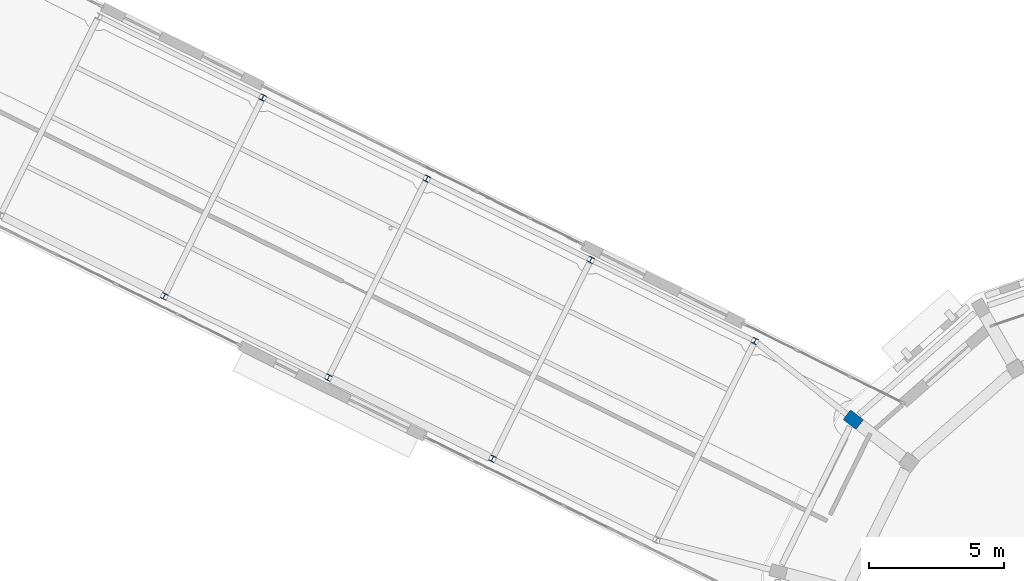
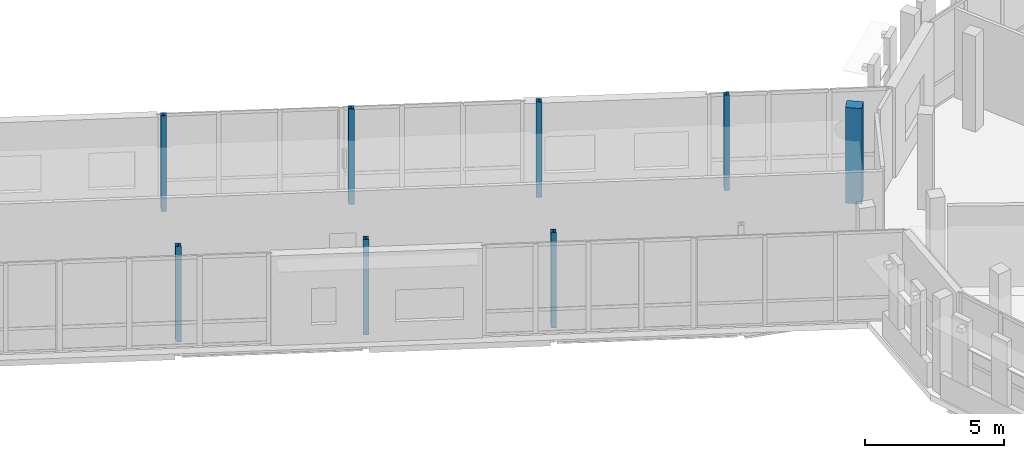
# One storey, part 24 of 125: 8 columns.
"""IFC4 building model written with IfcOpenShell, lengths in metres."""

from ifc_helpers import new_model, si_unit, direction, frame, origin, origin_2d, place, context, subcontext, project, spatial, rectangle, i_section, extrude, material, material_profile, profile_set, type_object, element, save


model = new_model("IFC4")

# Units and contexts
model_context = context("Model", 3, precision=1e-05, world=origin(), true_north=direction((0.0, 1.0)))
body_context = subcontext(model_context, "Body", "Model", "MODEL_VIEW")
ifc_project = project(units=[si_unit("LENGTHUNIT", "METRE"), si_unit("AREAUNIT", "SQUARE_METRE"), si_unit("VOLUMEUNIT", "CUBIC_METRE"), si_unit("PLANEANGLEUNIT", "RADIAN"), si_unit("MASSUNIT", "GRAM", prefix="KILO")], contexts=[model_context])

# Site, building, storey
site_placement = place(None, origin())
site = spatial("IfcSite", under=ifc_project, at=site_placement, CompositionType="ELEMENT")
building_placement = place(site_placement, origin())
building = spatial("IfcBuilding", under=site, at=building_placement, Name="Wrenclough Park School", CompositionType="ELEMENT")
storey_placement = place(building_placement, frame((0.0, 0.0, 4.199951171875)))
storey = spatial("IfcBuildingStorey", under=building, at=storey_placement, Name="L01", CompositionType="ELEMENT", Elevation=4.199951171875)

# Columns
ifc_material_1 = material(Name="Concrete C40/50", Category="concrete")
ifc_material_profile_1 = material_profile(ifc_material_1, rectangle(XDim=0.449951171875, YDim=0.60009765625, at=origin_2d()), Name="RC COL 600x450")
ifc_profile_set_1 = profile_set([ifc_material_profile_1], Name="Concrete C40/50")
column_type_1 = type_object("IfcColumnType", Name="STR-COL-RC600x450", PredefinedType="PILASTER", material=ifc_profile_set_1)
column_placement = place(storey_placement, frame((161.7666015625, 103.2705078125, 0.0), z_axis=(0.0, 0.0, 1.0), x_axis=(-0.608761429009, -0.793353340291, 0.0)))
element("IfcColumn", 1, at=column_placement, inside=storey, type_object=column_type_1, Name="D5 L01 column D5-OUT-07", PredefinedType="PILASTER", context=body_context, shape_type="SweptSolid", body=[
    extrude(rectangle(XDim=0.449951171875, YDim=0.60009765625, at=origin_2d()), origin(), (0.0, 0.0, 1.0), 4.199951171875),
])
ifc_material_2 = material(Name="Structural steel S355", Category="steel")
ifc_material_profile_2 = material_profile(ifc_material_2, i_section(OverallWidth=0.205810546875, OverallDepth=0.209716796875, WebThickness=0.009521484375, FlangeThickness=0.01416015625, FilletRadius=0.01025390625, at=origin_2d()), Name="UKC 203x203x60")
ifc_profile_set_2 = profile_set([ifc_material_profile_2], Name="Structural steel S355")
column_type_2 = type_object("IfcColumnType", Name="STR-COL-UKC203B", PredefinedType="COLUMN", material=ifc_profile_set_2)
for number, where, z_axis, x_axis, name in (
    (2, (139.943359375, 115.1748046875, 0.0), (0.0, 0.0, 1.0), (0.896254315973, -0.443540529265, 0.0), "W45 L01 column W45-C2-L02"),
    (3, (136.306640625, 107.8251953125, 0.0), (0.0, 0.0, 1.0), (0.896254315973, -0.443540529265, 0.0), "W45 L01 column W45-C2-R02"),
    (4, (146.005859375, 112.1748046875, 0.0), (0.0, 0.0, 1.0), (0.896254315973, -0.443540529265, 0.0), "W45 L01 column W45-C2-L03"),
    (5, (142.369140625, 104.8251953125, 0.0), (0.0, 0.0, 1.0), (0.896254315973, -0.443540529265, 0.0), "W45 L01 column W45-C2-R03"),
    (6, (152.068359375, 109.1748046875, 0.0), (0.0, 0.0, 1.0), (0.896254315973, -0.443540529265, 0.0), "W45 L01 column W45-C2-L04"),
    (7, (148.431640625, 101.8251953125, 0.0), (0.0, 0.0, 1.0), (0.896254315973, -0.443540529265, 0.0), "W45 L01 column W45-C2-R04"),
    (8, (158.130859375, 106.1748046875, 0.0), (0.0, 0.0, 1.0), (0.896254315973, -0.443540529265, 0.0), "W45 L01 column W45-C2-L05"),
):
    element("IfcColumn", number, at=place(storey_placement, frame(where, z_axis=z_axis, x_axis=x_axis)), inside=storey, type_object=column_type_2, Name=name, PredefinedType="COLUMN", context=body_context, shape_type="SweptSolid", body=[
        extrude(i_section(OverallWidth=0.205810546875, OverallDepth=0.209716796875, WebThickness=0.009521484375, FlangeThickness=0.01416015625, FilletRadius=0.01025390625, at=origin_2d()), origin(), (0.0, 0.0, 1.0), 4.199951171875),
    ])

save(model, "model.ifc")
